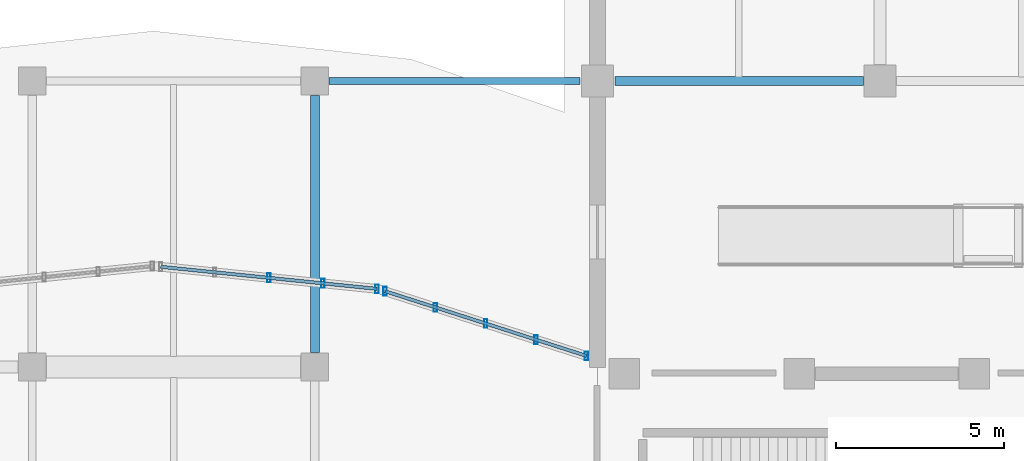
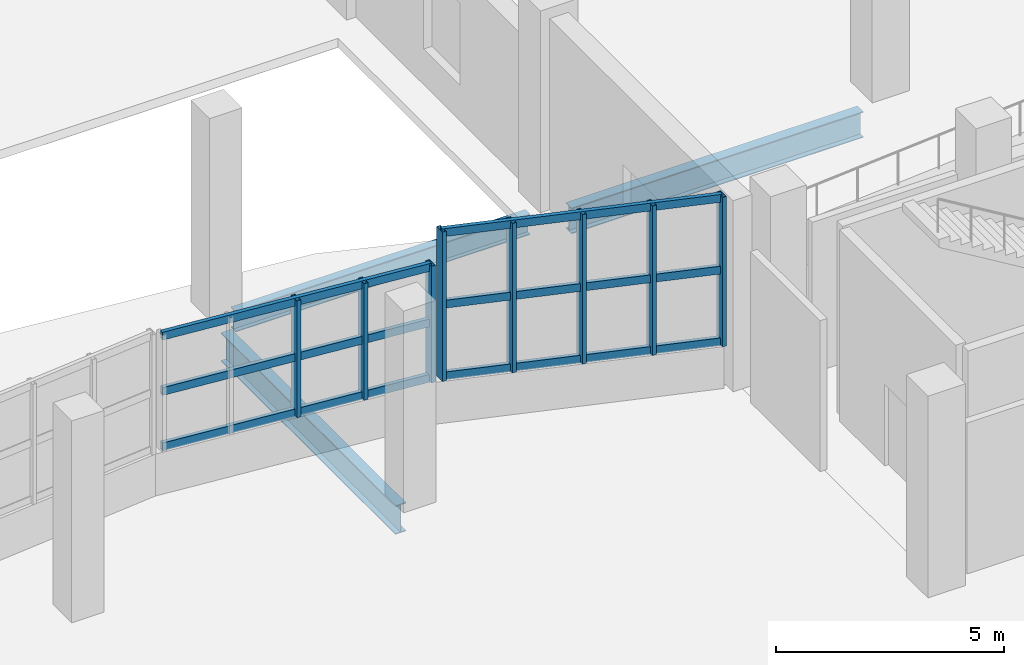
# One storey, part 17 of 107: 14 members, 3 beams, 2 elements without a shape of their own.
"""IFC4 building model written with IfcOpenShell, lengths in metres."""

import ifcopenshell
import ifcopenshell.guid

model = None  # the IFC model being written
_history = None  # IfcOwnerHistory: only IFC2X3 demands one
_inside = {}  # id of a spatial element -> (the spatial element, [elements in it])
_under = {}  # id of a project, library or spatial element -> (it, [spatial elements below it])
_declared = {}  # id of a project -> (the project, [libraries it declares])
_typed = {}  # id of a type object -> (the type object, [elements of that type])
_made_of = {}  # id of a material, layer set ... -> (it, [elements and type objects made of it])


def new_model(schema):
    """Start an empty IFC model of exactly this schema.

    Asked for "IFC4X3", IfcOpenShell would pick the latest addendum, in which some entities
    have other attributes; the version numbers below select the first issue.
    IFC2X3 requires an IfcOwnerHistory on every rooted entity: one is made here for all.
    """
    global model, _history
    if schema == "IFC4X3":
        model = ifcopenshell.file(schema_version=(4, 3, 0, 0))
    else:
        model = ifcopenshell.file(schema=schema)
    _inside.clear()
    _under.clear()
    _declared.clear()
    _typed.clear()
    _made_of.clear()
    _history = None
    if model.schema == "IFC2X3":
        org = make("IfcOrganization", Name="unknown")
        user = make(
            "IfcPersonAndOrganization",
            ThePerson=make("IfcPerson", FamilyName="unknown"),
            TheOrganization=org,
        )
        app = make(
            "IfcApplication",
            ApplicationDeveloper=org,
            Version="unknown",
            ApplicationFullName="unknown",
            ApplicationIdentifier="unknown",
        )
        _history = make(
            "IfcOwnerHistory",
            OwningUser=user,
            OwningApplication=app,
            ChangeAction="ADDED",
            CreationDate=0,
        )
    return model


def make(cls, **values):
    """One entity of the class cls with the attributes given. An attribute that is None is left unset."""
    return model.create_entity(
        cls, **{name: value for name, value in values.items() if value is not None}
    )


def rooted(cls, **values):
    """An entity with a GlobalId (a new one), such as an element, a storey or a relation."""
    return make(cls, GlobalId=ifcopenshell.guid.new(), OwnerHistory=_history, **values)


def si_unit(unit_type, name, prefix=None):
    """IfcSIUnit, for example si_unit("LENGTHUNIT", "METRE", prefix="MILLI")."""
    return make("IfcSIUnit", UnitType=unit_type, Prefix=prefix, Name=name)


def assignment(units):
    """IfcUnitAssignment: the units of a project."""
    return None if units is None else make("IfcUnitAssignment", Units=units)


def point(xyz):
    """IfcCartesianPoint."""
    return None if xyz is None else make("IfcCartesianPoint", Coordinates=xyz)


def direction(xyz):
    """IfcDirection."""
    return None if xyz is None else make("IfcDirection", DirectionRatios=xyz)


def frame(location, z_axis=None, x_axis=None):
    """IfcAxis2Placement3D, a coordinate frame: its origin and axes. An axis left out is left unset."""
    return make(
        "IfcAxis2Placement3D",
        Location=point(location),
        Axis=direction(z_axis),
        RefDirection=direction(x_axis),
    )


def frame_2d(location, x_axis=None):
    """IfcAxis2Placement2D, a coordinate frame in the plane: its origin and x axis."""
    return make(
        "IfcAxis2Placement2D", Location=point(location), RefDirection=direction(x_axis)
    )


def origin():
    """The frame at (0, 0, 0) with its axes left unset."""
    return frame((0.0, 0.0, 0.0))


def origin_2d():
    """The frame at (0, 0) in the plane with its x axis left unset."""
    return frame_2d((0.0, 0.0))


def place(relative_to, where):
    """IfcLocalPlacement: puts the frame where relative to a parent placement (None: the world)."""
    return make(
        "IfcLocalPlacement", PlacementRelTo=relative_to, RelativePlacement=where
    )


def context(
    kind, dimensions, precision=None, world=None, true_north=None, identifier=None
):
    """IfcGeometricRepresentationContext, for example the 3D "Model" context."""
    return make(
        "IfcGeometricRepresentationContext",
        ContextIdentifier=identifier,
        ContextType=kind,
        CoordinateSpaceDimension=dimensions,
        Precision=precision,
        WorldCoordinateSystem=world,
        TrueNorth=true_north,
    )


def subcontext(parent, identifier, kind, view, scale=None):
    """IfcGeometricRepresentationSubContext, for example "Body" below "Model"."""
    return make(
        "IfcGeometricRepresentationSubContext",
        ContextIdentifier=identifier,
        ContextType=kind,
        ParentContext=parent,
        TargetScale=scale,
        TargetView=view,
    )


def project(units=None, contexts=None):
    """IfcProject with its units and contexts."""
    return rooted(
        "IfcProject",
        Name="project",
        RepresentationContexts=contexts,
        UnitsInContext=assignment(units),
    )


def spatial(cls, under=None, at=None, **own):
    """A site, building, storey or space (cls), placed at a placement, below another one or the project."""
    s = rooted(cls, ObjectPlacement=at, **own)
    if under is not None:
        _under.setdefault(under.id(), (under, []))[1].append(s)
    return s


def profile(cls, at=None, kind="AREA", **sizes):
    """A parametric profile (cls). Its sizes go by their IFC names, for example OverallWidth=200.0."""
    return make(cls, ProfileType=kind, Position=at, **sizes)


def hollow_rectangle(**sizes):
    """IfcRectangleHollowProfileDef."""
    return profile("IfcRectangleHollowProfileDef", **sizes)


def i_section(**sizes):
    """IfcIShapeProfileDef."""
    return profile("IfcIShapeProfileDef", **sizes)


def extrude(swept, where, along, depth):
    """IfcExtrudedAreaSolid: the profile swept, set in the frame where, extruded along a direction by depth."""
    return make(
        "IfcExtrudedAreaSolid",
        SweptArea=swept,
        Position=where,
        ExtrudedDirection=direction(along),
        Depth=depth,
    )


def shape(context_of_items, identifier, shape_type, items):
    """IfcShapeRepresentation: the items that make up one representation, for example the "Body"."""
    return make(
        "IfcShapeRepresentation",
        ContextOfItems=context_of_items,
        RepresentationIdentifier=identifier,
        RepresentationType=shape_type,
        Items=items,
    )


def material(Name=None, Category=None):
    """IfcMaterial."""
    return make("IfcMaterial", Name=Name, Category=Category)


def material_profile(
    of_material, cross_section, Name=None, Category=None, Priority=None
):
    """IfcMaterialProfile: a cross section and its material."""
    return make(
        "IfcMaterialProfile",
        Name=Name,
        Material=of_material,
        Profile=cross_section,
        Priority=Priority,
        Category=Category,
    )


def profile_set(profiles, Name=None, composite=None):
    """IfcMaterialProfileSet."""
    return make(
        "IfcMaterialProfileSet",
        Name=Name,
        MaterialProfiles=profiles,
        CompositeProfile=composite,
    )


def made_of(thing, what):
    """Note that an element or type object is made of a material, layer set ...; save() writes the relation."""
    if what is not None:
        _made_of.setdefault(what.id(), (what, []))[1].append(thing)
    return thing


def type_object(cls, material=None, **own):
    """A type object (cls), such as IfcWallType, which elements share."""
    return made_of(rooted(cls, **own), material)


def element(
    cls,
    number,
    at=None,
    inside=None,
    cuts=None,
    type_object=None,
    material=None,
    context=None,
    identifier="Body",
    shape_type=None,
    held_by="IfcProductDefinitionShape",
    body=None,
    shapes=None,
    **own,
):
    """One element of the class cls, such as IfcWall. Its Tag is "e" and its number.

    at: its placement. inside: the storey or other place that contains it. cuts: it is an
    opening in that element (IfcRelVoidsElement). A single representation is given by context,
    identifier, shape_type and body (its items); several are given by shapes. held_by: the class
    of the entity that holds the representations. save() writes the other relations.
    """
    e = rooted(cls, Tag="e%d" % number, ObjectPlacement=at, **own)
    if body is not None:
        shapes = [shape(context, identifier, shape_type, body)]
    if shapes is not None:
        e.Representation = make(held_by, Representations=shapes)
    if inside is not None:
        _inside.setdefault(inside.id(), (inside, []))[1].append(e)
    if cuts is not None:
        rooted(
            "IfcRelVoidsElement", RelatingBuildingElement=cuts, RelatedOpeningElement=e
        )
    if type_object is not None:
        _typed.setdefault(type_object.id(), (type_object, []))[1].append(e)
    return made_of(e, material)


def aggregate(whole, parts):
    """IfcRelAggregates: a whole, such as a stair, and the parts it consists of."""
    return rooted("IfcRelAggregates", RelatingObject=whole, RelatedObjects=parts)


def save(model, path):
    """Write the relations noted so far, then the file.

    IfcRelAggregates (storeys below a building ...), IfcRelContainedInSpatialStructure (elements
    in a storey), IfcRelDefinesByType, IfcRelAssociatesMaterial and IfcRelDeclares: one each for
    every whole, place, type object, material and project.
    """
    for whole, parts in _under.values():
        aggregate(whole, parts)
    for where, things in _inside.values():
        rooted(
            "IfcRelContainedInSpatialStructure",
            RelatedElements=things,
            RelatingStructure=where,
        )
    for kind, things in _typed.values():
        rooted("IfcRelDefinesByType", RelatedObjects=things, RelatingType=kind)
    for what, things in _made_of.values():
        rooted("IfcRelAssociatesMaterial", RelatedObjects=things, RelatingMaterial=what)
    for by, libraries in _declared.values():
        rooted("IfcRelDeclares", RelatingContext=by, RelatedDefinitions=libraries)
    model.write(path)


model = new_model("IFC4")

# Units and contexts
model_context = context("Model", 3, precision=1e-05, world=origin(), true_north=direction((0.0, 1.0)))
body_context = subcontext(model_context, "Body", "Model", "MODEL_VIEW")
ifc_project = project(units=[si_unit("LENGTHUNIT", "METRE"), si_unit("AREAUNIT", "SQUARE_METRE"), si_unit("VOLUMEUNIT", "CUBIC_METRE"), si_unit("PLANEANGLEUNIT", "RADIAN"), si_unit("MASSUNIT", "GRAM", prefix="KILO")], contexts=[model_context])

# Site, building, storey
site_placement = place(None, origin())
site = spatial("IfcSite", under=ifc_project, at=site_placement, CompositionType="ELEMENT")
building_placement = place(site_placement, origin())
building = spatial("IfcBuilding", under=site, at=building_placement, Name="Solvento Point Concert Hall", CompositionType="ELEMENT")
storey_placement = place(building_placement, origin())
storey = spatial("IfcBuildingStorey", under=building, at=storey_placement, Name="L00", CompositionType="ELEMENT", Elevation=0.0)

# Beams
ifc_material_1 = material(Name="Structural Steel ASTM A992 Grade 50", Category="steel")
ifc_material_profile_1 = material_profile(ifc_material_1, i_section(OverallWidth=0.214111328125, OverallDepth=0.549072265625, WebThickness=0.0146484375, FlangeThickness=0.023681640625, at=origin_2d()), Name="W21X93")
ifc_profile_set_1 = profile_set([ifc_material_profile_1], Name="Structural Steel ASTM A992 Grade 50")
beam_type_1 = type_object("IfcBeamType", Name="Beam_W21X93", PredefinedType="BEAM", material=ifc_profile_set_1)
beam_1_placement = place(storey_placement, frame((66.424072265625, 59.5, -0.5185546875), z_axis=(1.0, 0.0, 0.0), x_axis=(0.0, 1.0, 0.0)))
element("IfcBeam", 1, at=beam_1_placement, inside=storey, type_object=beam_type_1, Name="Primary girder B-48 L00", PredefinedType="BEAM", context=body_context, shape_type="SweptSolid", body=[
    extrude(i_section(OverallWidth=0.214111328125, OverallDepth=0.549072265625, WebThickness=0.0146484375, FlangeThickness=0.023681640625, at=origin_2d()), origin(), (0.0, 0.0, 1.0), 7.45703125),
])
ifc_material_2 = material(Name="Structural Steel ASTM A992 Grade 50", Category="steel")
ifc_material_profile_2 = material_profile(ifc_material_2, i_section(OverallWidth=0.256103515625, OverallDepth=0.693115234375, WebThickness=0.014404296875, FlangeThickness=0.023681640625, at=origin_2d()), Name="W27X114")
ifc_profile_set_2 = profile_set([ifc_material_profile_2], Name="Structural Steel ASTM A992 Grade 50")
beam_type_2 = type_object("IfcBeamType", Name="Girder_W27X114", PredefinedType="USERDEFINED", material=ifc_profile_set_2)
beam_2_placement = place(storey_placement, frame((74.9189453125, 59.5, -0.780517578125), z_axis=(1.0, 0.0, 0.0), x_axis=(0.0, 1.0, 0.0)))
element("IfcBeam", 2, at=beam_2_placement, inside=storey, type_object=beam_type_2, Name="Primary girder B-23 L00", ObjectType="GIRDER", PredefinedType="USERDEFINED", context=body_context, shape_type="SweptSolid", body=[
    extrude(i_section(OverallWidth=0.256103515625, OverallDepth=0.693115234375, WebThickness=0.014404296875, FlangeThickness=0.023681640625, at=origin_2d()), origin(), (0.0, 0.0, 1.0), 7.386962890625),
])
ifc_material_3 = material(Name="Structural Steel ASTM A992 Grade 50", Category="steel")
ifc_material_profile_3 = material_profile(ifc_material_3, i_section(OverallWidth=0.26806640625, OverallDepth=0.77001953125, WebThickness=0.015625, FlangeThickness=0.025390625, at=origin_2d()), Name="W30X132")
ifc_profile_set_3 = profile_set([ifc_material_profile_3], Name="Structural Steel ASTM A992 Grade 50")
beam_type_3 = type_object("IfcBeamType", Name="Girder_W30X132", PredefinedType="USERDEFINED", material=ifc_profile_set_3)
beam_3_placement = place(storey_placement, frame((66.0, 51.424072265625, -0.799072265625), z_axis=(0.0, 1.0, 0.0), x_axis=(-1.0, 0.0, 0.0)))
element("IfcBeam", 3, at=beam_3_placement, inside=storey, type_object=beam_type_3, Name="Primary girder B-68 L00", ObjectType="GIRDER", PredefinedType="USERDEFINED", context=body_context, shape_type="SweptSolid", body=[
    extrude(i_section(OverallWidth=0.26806640625, OverallDepth=0.77001953125, WebThickness=0.015625, FlangeThickness=0.025390625, at=origin_2d()), origin(), (0.0, 0.0, 1.0), 7.65185546875),
])

# Curtain wall, members
ifc_material_4 = material(Name="Anodized Bronze Aluminium", Category="aluminium")
curtain_wall_type = type_object("IfcCurtainWallType", Name="CurtainWall_FoyerL00", PredefinedType="USERDEFINED", material=ifc_material_4)
curtain_wall_1_placement = place(storey_placement, origin())
curtain_wall_1 = element("IfcCurtainWall", 4, at=curtain_wall_1_placement, inside=storey, type_object=curtain_wall_type, Name="Unitised curtain wall CW-29 UCW-L00-012", ObjectType="UNITISED CURTAIN WALL", PredefinedType="USERDEFINED")
ifc_material_5 = material(Name="Anodized Bronze Aluminium", Category="aluminium")
ifc_material_profile_4 = material_profile(ifc_material_5, hollow_rectangle(XDim=0.10009765625, YDim=0.260009765625, WallThickness=0.0048828125, at=origin_2d()), Name="CW-MUL-100X260")
ifc_profile_set_4 = profile_set([ifc_material_profile_4], Name="Anodized Bronze Aluminium")
member_type_1 = type_object("IfcMemberType", Name="Mullion_100x260", PredefinedType="MULLION", material=ifc_profile_set_4)
member_1_placement = place(storey_placement, frame((64.63330078125, 53.649658203125, 1.1201171875), z_axis=(0.0, 0.0, 1.0), x_axis=(1.0, 0.0, 0.0)))
member_1 = element("IfcMember", 5, at=member_1_placement, type_object=member_type_1, Name="Curtain wall mullion ML-03", PredefinedType="MULLION", context=body_context, shape_type="SweptSolid", body=[
    extrude(hollow_rectangle(XDim=0.10009765625, YDim=0.260009765625, WallThickness=0.0048828125, at=origin_2d()), origin(), (0.0, 0.0, 1.0), 3.125),
])
member_2_placement = place(storey_placement, frame((66.240478515625, 53.485595703125, 1.1201171875), z_axis=(0.0, 0.0, 1.0), x_axis=(1.0, 0.0, 0.0)))
member_2 = element("IfcMember", 6, at=member_2_placement, type_object=member_type_1, Name="Curtain wall mullion ML-03", PredefinedType="MULLION", context=body_context, shape_type="SweptSolid", body=[
    extrude(hollow_rectangle(XDim=0.10009765625, YDim=0.260009765625, WallThickness=0.0048828125, at=origin_2d()), origin(), (0.0, 0.0, 1.0), 3.125),
])
member_3_placement = place(storey_placement, frame((67.84765625, 53.321533203125, 1.1201171875), z_axis=(0.0, 0.0, 1.0), x_axis=(1.0, 0.0, 0.0)))
member_3 = element("IfcMember", 7, at=member_3_placement, type_object=member_type_1, Name="Curtain wall mullion ML-03", PredefinedType="MULLION", context=body_context, shape_type="SweptSolid", body=[
    extrude(hollow_rectangle(XDim=0.10009765625, YDim=0.260009765625, WallThickness=0.0048828125, at=origin_2d()), origin(), (0.0, 0.0, 1.0), 3.125),
])

curtain_wall_2_placement = place(storey_placement, origin())
curtain_wall_2 = element("IfcCurtainWall", 8, at=curtain_wall_2_placement, inside=storey, type_object=curtain_wall_type, Name="Unitised curtain wall CW-29 UCW-L00-013", ObjectType="UNITISED CURTAIN WALL", PredefinedType="USERDEFINED")
member_4_placement = place(storey_placement, frame((68.0869140625, 53.251220703125, 1.1201171875), z_axis=(0.0, 0.0, 1.0), x_axis=(1.0, 0.0, 0.0)))
member_4 = element("IfcMember", 9, at=member_4_placement, type_object=member_type_1, Name="Curtain wall mullion ML-03", PredefinedType="MULLION", context=body_context, shape_type="SweptSolid", body=[
    extrude(hollow_rectangle(XDim=0.10009765625, YDim=0.260009765625, WallThickness=0.0048828125, at=origin_2d()), origin(), (0.0, 0.0, 1.0), 4.0),
])
member_5_placement = place(storey_placement, frame((69.5830078125, 52.770751953125, 1.1201171875), z_axis=(0.0, 0.0, 1.0), x_axis=(1.0, 0.0, 0.0)))
member_5 = element("IfcMember", 10, at=member_5_placement, type_object=member_type_1, Name="Curtain wall mullion ML-03", PredefinedType="MULLION", context=body_context, shape_type="SweptSolid", body=[
    extrude(hollow_rectangle(XDim=0.10009765625, YDim=0.260009765625, WallThickness=0.0048828125, at=origin_2d()), origin(), (0.0, 0.0, 1.0), 4.0),
])
member_6_placement = place(storey_placement, frame((71.0791015625, 52.29052734375, 1.1201171875), z_axis=(0.0, 0.0, 1.0), x_axis=(1.0, 0.0, 0.0)))
member_6 = element("IfcMember", 11, at=member_6_placement, type_object=member_type_1, Name="Curtain wall mullion ML-03", PredefinedType="MULLION", context=body_context, shape_type="SweptSolid", body=[
    extrude(hollow_rectangle(XDim=0.10009765625, YDim=0.260009765625, WallThickness=0.0048828125, at=origin_2d()), origin(), (0.0, 0.0, 1.0), 4.0),
])
member_7_placement = place(storey_placement, frame((72.5751953125, 51.81005859375, 1.1201171875), z_axis=(0.0, 0.0, 1.0), x_axis=(1.0, 0.0, 0.0)))
member_7 = element("IfcMember", 12, at=member_7_placement, type_object=member_type_1, Name="Curtain wall mullion ML-03", PredefinedType="MULLION", context=body_context, shape_type="SweptSolid", body=[
    extrude(hollow_rectangle(XDim=0.10009765625, YDim=0.260009765625, WallThickness=0.0048828125, at=origin_2d()), origin(), (0.0, 0.0, 1.0), 4.0),
])
member_8_placement = place(storey_placement, frame((74.0712890625, 51.32958984375, 1.1201171875), z_axis=(0.0, 0.0, 1.0), x_axis=(1.0, 0.0, 0.0)))
member_8 = element("IfcMember", 13, at=member_8_placement, type_object=member_type_1, Name="Curtain wall mullion ML-03", PredefinedType="MULLION", context=body_context, shape_type="SweptSolid", body=[
    extrude(hollow_rectangle(XDim=0.10009765625, YDim=0.260009765625, WallThickness=0.0048828125, at=origin_2d()), origin(), (0.0, 0.0, 1.0), 4.0),
])

# Member
ifc_material_6 = material(Name="Anodized Bronze Aluminium", Category="aluminium")
ifc_material_profile_5 = material_profile(ifc_material_6, hollow_rectangle(XDim=0.10009765625, YDim=0.2099609375, WallThickness=0.0048828125, at=origin_2d()), Name="CW-TRN-100X210")
ifc_profile_set_5 = profile_set([ifc_material_profile_5], Name="Anodized Bronze Aluminium")
member_type_2 = type_object("IfcMemberType", Name="Transom_100x210", PredefinedType="USERDEFINED", material=ifc_profile_set_5)
member_9_placement = place(storey_placement, frame((61.4189453125, 53.977783203125, 1.199951171875), z_axis=(0.994830092741, -0.101553368118, 0.0), x_axis=(0.101553368118, 0.994830092741, 0.0)))
member_9 = element("IfcMember", 14, at=member_9_placement, type_object=member_type_2, Name="Curtain wall transom TR-03", ObjectType="TRANSOM", PredefinedType="USERDEFINED", context=body_context, shape_type="SweptSolid", body=[
    extrude(hollow_rectangle(XDim=0.10009765625, YDim=0.2099609375, WallThickness=0.0048828125, at=origin_2d()), origin(), (0.0, 0.0, 1.0), 6.462158203125),
])

member_10_placement = place(storey_placement, frame((61.4189453125, 53.977783203125, 2.6826171875), z_axis=(0.994830092741, -0.101553368118, 0.0), x_axis=(0.101553368118, 0.994830092741, 0.0)))
member_10 = element("IfcMember", 15, at=member_10_placement, type_object=member_type_2, Name="Curtain wall transom TR-03", ObjectType="TRANSOM", PredefinedType="USERDEFINED", context=body_context, shape_type="SweptSolid", body=[
    extrude(hollow_rectangle(XDim=0.10009765625, YDim=0.2099609375, WallThickness=0.0048828125, at=origin_2d()), origin(), (0.0, 0.0, 1.0), 6.462158203125),
])

member_11_placement = place(storey_placement, frame((61.4189453125, 53.977783203125, 4.1650390625), z_axis=(0.994830092741, -0.101553368118, 0.0), x_axis=(0.101553368118, 0.994830092741, 0.0)))
member_11 = element("IfcMember", 16, at=member_11_placement, type_object=member_type_2, Name="Curtain wall transom TR-03", ObjectType="TRANSOM", PredefinedType="USERDEFINED", context=body_context, shape_type="SweptSolid", body=[
    extrude(hollow_rectangle(XDim=0.10009765625, YDim=0.2099609375, WallThickness=0.0048828125, at=origin_2d()), origin(), (0.0, 0.0, 1.0), 6.462158203125),
])

aggregate(curtain_wall_1, [member_1, member_2, member_3, member_9, member_10, member_11])

member_12_placement = place(storey_placement, frame((68.0869140625, 53.251220703125, 1.199951171875), z_axis=(0.952117433196, -0.305732552084, 0.0), x_axis=(0.305732552084, 0.952117433196, 0.0)))
member_12 = element("IfcMember", 17, at=member_12_placement, type_object=member_type_2, Name="Curtain wall transom TR-03", ObjectType="TRANSOM", PredefinedType="USERDEFINED", context=body_context, shape_type="SweptSolid", body=[
    extrude(hollow_rectangle(XDim=0.10009765625, YDim=0.2099609375, WallThickness=0.0048828125, at=origin_2d()), origin(), (0.0, 0.0, 1.0), 6.285400390625),
])

member_13_placement = place(storey_placement, frame((68.0869140625, 53.251220703125, 3.1201171875), z_axis=(0.952117433196, -0.305732552084, 0.0), x_axis=(0.305732552084, 0.952117433196, 0.0)))
member_13 = element("IfcMember", 18, at=member_13_placement, type_object=member_type_2, Name="Curtain wall transom TR-03", ObjectType="TRANSOM", PredefinedType="USERDEFINED", context=body_context, shape_type="SweptSolid", body=[
    extrude(hollow_rectangle(XDim=0.10009765625, YDim=0.2099609375, WallThickness=0.0048828125, at=origin_2d()), origin(), (0.0, 0.0, 1.0), 6.285400390625),
])

member_14_placement = place(storey_placement, frame((68.0869140625, 53.251220703125, 5.0400390625), z_axis=(0.952117433196, -0.305732552084, 0.0), x_axis=(0.305732552084, 0.952117433196, 0.0)))
member_14 = element("IfcMember", 19, at=member_14_placement, type_object=member_type_2, Name="Curtain wall transom TR-03", ObjectType="TRANSOM", PredefinedType="USERDEFINED", context=body_context, shape_type="SweptSolid", body=[
    extrude(hollow_rectangle(XDim=0.10009765625, YDim=0.2099609375, WallThickness=0.0048828125, at=origin_2d()), origin(), (0.0, 0.0, 1.0), 6.285400390625),
])

aggregate(curtain_wall_2, [member_4, member_5, member_6, member_7, member_8, member_12, member_13, member_14])

save(model, "model.ifc")
